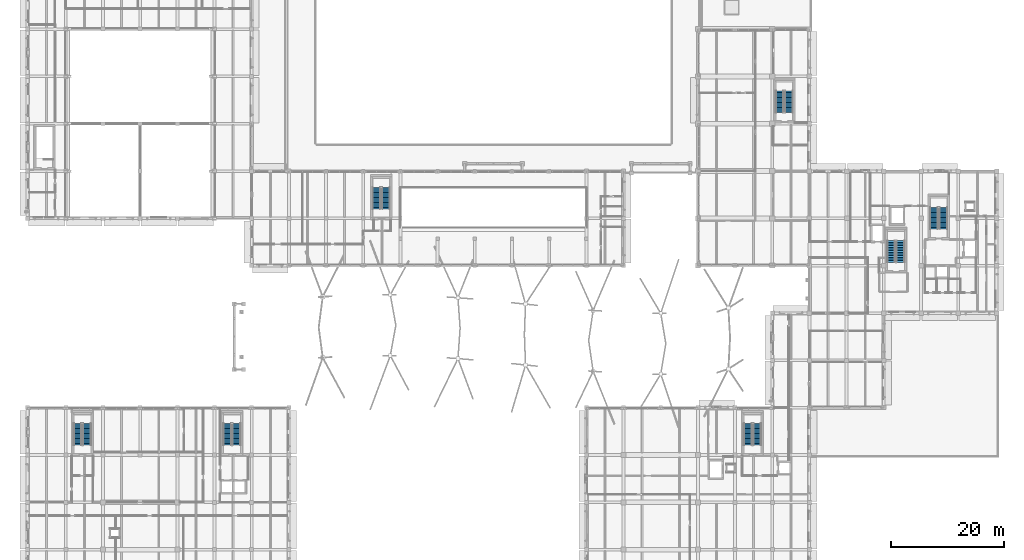
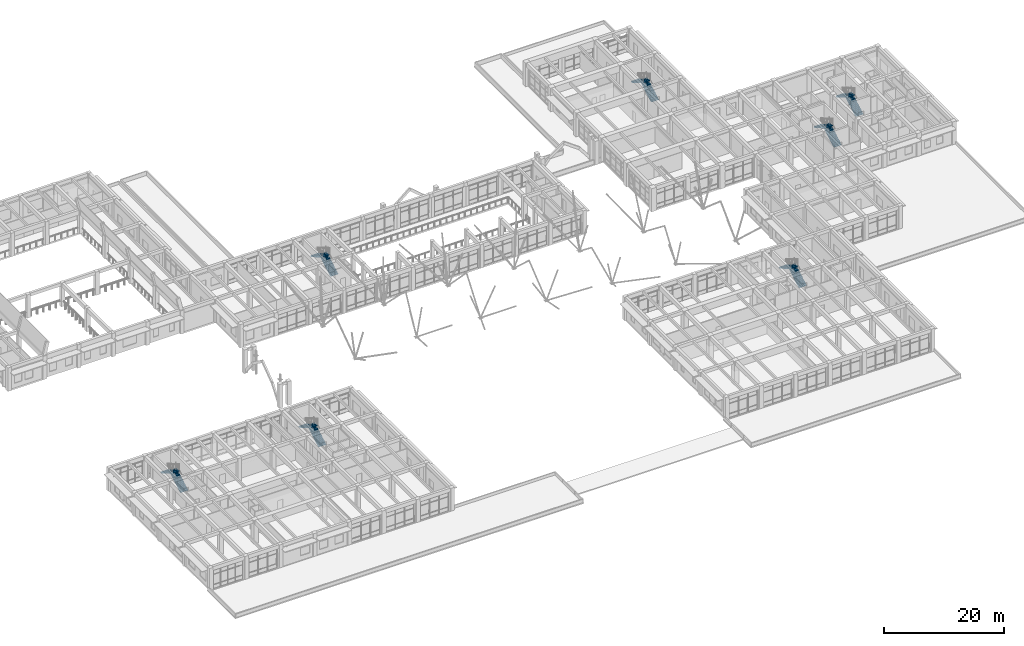
# One storey, part 57 of 75: 14 stair flights, 7 elements without a shape of their own.
"""IFC4 building model written with IfcOpenShell, lengths in metres."""

from ifc_helpers import new_model, si_unit, direction, frame, origin, place, context, subcontext, project, spatial, polyline, outline, extrude, material, type_object, element, aggregate, save


model = new_model("IFC4")

# Units and contexts
model_context = context("Model", 3, precision=1e-05, world=origin(), true_north=direction((0.0, 1.0)))
body_context = subcontext(model_context, "Body", "Model", "MODEL_VIEW")
ifc_project = project(units=[si_unit("LENGTHUNIT", "METRE"), si_unit("AREAUNIT", "SQUARE_METRE"), si_unit("VOLUMEUNIT", "CUBIC_METRE"), si_unit("PLANEANGLEUNIT", "RADIAN"), si_unit("MASSUNIT", "GRAM", prefix="KILO")], contexts=[model_context])

# Site, building, storey
site_placement = place(None, origin())
site = spatial("IfcSite", under=ifc_project, at=site_placement, CompositionType="ELEMENT")
building_placement = place(site_placement, origin())
building = spatial("IfcBuilding", under=site, at=building_placement, Name="Kolvaren Faculty of Natural Sciences", CompositionType="ELEMENT")
storey_placement = place(building_placement, frame((0.0, 0.0, 5.39990234375)))
storey = spatial("IfcBuildingStorey", under=building, at=storey_placement, Name="L01", CompositionType="ELEMENT", Elevation=5.39990234375)

# Stair, stair flights
ifc_material = material(Name="Concrete C35/45", Category="concrete")
stair_type = type_object("IfcStairType", Name="DoglegStair_H4800", PredefinedType="HALF_TURN_STAIR", material=ifc_material)
stair_1_placement = place(storey_placement, origin())
stair_1 = element("IfcStair", 1, at=stair_1_placement, inside=storey, type_object=stair_type, Name="L01 Protected exit stair ST-1", PredefinedType="HALF_TURN_STAIR")
stair_flight_type = type_object("IfcStairFlightType", Name="StairFlight_R1714", PredefinedType="STRAIGHT", material=ifc_material)
stair_flight_1_placement = place(storey_placement, frame((162.574951171875, 73.89990234375, 0.0), z_axis=(0.0, 0.0, 1.0), x_axis=(0.0, 1.0, 0.0)))
stair_flight_1 = element("IfcStairFlight", 2, at=stair_flight_1_placement, type_object=stair_flight_type, Name="ST-1 flight 1", NumberOfRisers=14, NumberOfTreads=13, PredefinedType="STRAIGHT", RiserHeight=0.171428571, TreadLength=0.295, context=body_context, shape_type="SweptSolid", body=[
    extrude(outline(polyline([(0.0, 0.0), (0.0, 0.17138671875), (0.294921875, 0.17138671875), (0.294921875, 0.3427734375), (0.590087890625, 0.3427734375), (0.590087890625, 0.514404296875), (0.885009765625, 0.514404296875), (0.885009765625, 0.685791015625), (1.179931640625, 0.685791015625), (1.179931640625, 0.857177734375), (1.47509765625, 0.857177734375), (1.47509765625, 1.028564453125), (1.77001953125, 1.028564453125), (1.77001953125, 1.199951171875), (2.06494140625, 1.199951171875), (2.06494140625, 1.371337890625), (2.360107421875, 1.371337890625), (2.360107421875, 1.54296875), (2.655029296875, 1.54296875), (2.655029296875, 1.71435546875), (2.949951171875, 1.71435546875), (2.949951171875, 1.8857421875), (3.2451171875, 1.8857421875), (3.2451171875, 2.05712890625), (3.5400390625, 2.05712890625), (3.5400390625, 2.228515625), (3.8349609375, 2.228515625), (3.8349609375, 2.39990234375), (3.8349609375, 2.05517578125), (0.29833984375, 0.0), (0.0, 0.0)])), frame((0.0, 0.72509765625, 0.0), z_axis=(0.0, -1.0, 0.0), x_axis=(1.0, 0.0, 0.0)), (0.0, 0.0, 1.0), 1.449951171875),
])
stair_flight_2_placement = place(storey_placement, frame((160.925048828125, 77.735107421875, 2.400146484375), z_axis=(0.0, 0.0, 1.0), x_axis=(0.0, -1.0, 0.0)))
stair_flight_2 = element("IfcStairFlight", 3, at=stair_flight_2_placement, type_object=stair_flight_type, Name="ST-1 flight 2", NumberOfRisers=14, NumberOfTreads=13, PredefinedType="STRAIGHT", RiserHeight=0.171428571, TreadLength=0.295, context=body_context, shape_type="SweptSolid", body=[
    extrude(outline(polyline([(0.0, 0.0), (0.0, 0.17138671875), (0.294921875, 0.17138671875), (0.294921875, 0.3427734375), (0.590087890625, 0.3427734375), (0.590087890625, 0.514404296875), (0.885009765625, 0.514404296875), (0.885009765625, 0.685791015625), (1.179931640625, 0.685791015625), (1.179931640625, 0.857177734375), (1.47509765625, 0.857177734375), (1.47509765625, 1.028564453125), (1.77001953125, 1.028564453125), (1.77001953125, 1.199951171875), (2.06494140625, 1.199951171875), (2.06494140625, 1.371337890625), (2.360107421875, 1.371337890625), (2.360107421875, 1.54296875), (2.655029296875, 1.54296875), (2.655029296875, 1.71435546875), (2.949951171875, 1.71435546875), (2.949951171875, 1.8857421875), (3.2451171875, 1.8857421875), (3.2451171875, 2.05712890625), (3.5400390625, 2.05712890625), (3.5400390625, 2.228515625), (3.8349609375, 2.228515625), (3.8349609375, 2.39990234375), (3.8349609375, 2.05517578125), (0.29833984375, 0.0), (0.0, 0.0)])), frame((0.0, 0.72509765625, 0.0), z_axis=(0.0, -1.0, 0.0), x_axis=(1.0, 0.0, 0.0)), (0.0, 0.0, 1.0), 1.449951171875),
])
aggregate(stair_1, [stair_flight_1, stair_flight_2])

stair_2_placement = place(storey_placement, origin())
stair_2 = element("IfcStair", 4, at=stair_2_placement, inside=storey, type_object=stair_type, Name="L01 Protected exit stair ST-2", PredefinedType="HALF_TURN_STAIR")
stair_flight_3_placement = place(storey_placement, frame((154.97509765625, 68.0, 0.0), z_axis=(0.0, 0.0, 1.0), x_axis=(0.0, 1.0, 0.0)))
stair_flight_3 = element("IfcStairFlight", 5, at=stair_flight_3_placement, type_object=stair_flight_type, Name="ST-2 flight 1", NumberOfRisers=14, NumberOfTreads=13, PredefinedType="STRAIGHT", RiserHeight=0.171428571, TreadLength=0.295, context=body_context, shape_type="SweptSolid", body=[
    extrude(outline(polyline([(0.0, 0.0), (0.0, 0.17138671875), (0.294921875, 0.17138671875), (0.294921875, 0.3427734375), (0.590087890625, 0.3427734375), (0.590087890625, 0.514404296875), (0.885009765625, 0.514404296875), (0.885009765625, 0.685791015625), (1.179931640625, 0.685791015625), (1.179931640625, 0.857177734375), (1.47509765625, 0.857177734375), (1.47509765625, 1.028564453125), (1.77001953125, 1.028564453125), (1.77001953125, 1.199951171875), (2.06494140625, 1.199951171875), (2.06494140625, 1.371337890625), (2.360107421875, 1.371337890625), (2.360107421875, 1.54296875), (2.655029296875, 1.54296875), (2.655029296875, 1.71435546875), (2.949951171875, 1.71435546875), (2.949951171875, 1.8857421875), (3.2451171875, 1.8857421875), (3.2451171875, 2.05712890625), (3.5400390625, 2.05712890625), (3.5400390625, 2.228515625), (3.8349609375, 2.228515625), (3.8349609375, 2.39990234375), (3.8349609375, 2.05517578125), (0.29833984375, 0.0), (0.0, 0.0)])), frame((0.0, 0.72509765625, 0.0), z_axis=(0.0, -1.0, 0.0), x_axis=(1.0, 0.0, 0.0)), (0.0, 0.0, 1.0), 1.449951171875),
])
stair_flight_4_placement = place(storey_placement, frame((153.324951171875, 71.8349609375, 2.400146484375), z_axis=(0.0, 0.0, 1.0), x_axis=(0.0, -1.0, 0.0)))
stair_flight_4 = element("IfcStairFlight", 6, at=stair_flight_4_placement, type_object=stair_flight_type, Name="ST-2 flight 2", NumberOfRisers=14, NumberOfTreads=13, PredefinedType="STRAIGHT", RiserHeight=0.171428571, TreadLength=0.295, context=body_context, shape_type="SweptSolid", body=[
    extrude(outline(polyline([(0.0, 0.0), (0.0, 0.17138671875), (0.294921875, 0.17138671875), (0.294921875, 0.3427734375), (0.590087890625, 0.3427734375), (0.590087890625, 0.514404296875), (0.885009765625, 0.514404296875), (0.885009765625, 0.685791015625), (1.179931640625, 0.685791015625), (1.179931640625, 0.857177734375), (1.47509765625, 0.857177734375), (1.47509765625, 1.028564453125), (1.77001953125, 1.028564453125), (1.77001953125, 1.199951171875), (2.06494140625, 1.199951171875), (2.06494140625, 1.371337890625), (2.360107421875, 1.371337890625), (2.360107421875, 1.54296875), (2.655029296875, 1.54296875), (2.655029296875, 1.71435546875), (2.949951171875, 1.71435546875), (2.949951171875, 1.8857421875), (3.2451171875, 1.8857421875), (3.2451171875, 2.05712890625), (3.5400390625, 2.05712890625), (3.5400390625, 2.228515625), (3.8349609375, 2.228515625), (3.8349609375, 2.39990234375), (3.8349609375, 2.05517578125), (0.29833984375, 0.0), (0.0, 0.0)])), frame((0.0, 0.72509765625, 0.0), z_axis=(0.0, -1.0, 0.0), x_axis=(1.0, 0.0, 0.0)), (0.0, 0.0, 1.0), 1.449951171875),
])
aggregate(stair_2, [stair_flight_3, stair_flight_4])

stair_3_placement = place(storey_placement, origin())
stair_3 = element("IfcStair", 7, at=stair_3_placement, inside=storey, type_object=stair_type, Name="L01 Protected exit stair ST-3", PredefinedType="HALF_TURN_STAIR")
stair_flight_5_placement = place(storey_placement, frame((129.52490234375, 35.550048828125, 0.0), z_axis=(0.0, 0.0, 1.0), x_axis=(0.0, 1.0, 0.0)))
stair_flight_5 = element("IfcStairFlight", 8, at=stair_flight_5_placement, type_object=stair_flight_type, Name="ST-3 flight 1", NumberOfRisers=14, NumberOfTreads=13, PredefinedType="STRAIGHT", RiserHeight=0.171428571, TreadLength=0.295, context=body_context, shape_type="SweptSolid", body=[
    extrude(outline(polyline([(0.0, 0.0), (0.0, 0.17138671875), (0.294921875, 0.17138671875), (0.294921875, 0.3427734375), (0.590087890625, 0.3427734375), (0.590087890625, 0.514404296875), (0.885009765625, 0.514404296875), (0.885009765625, 0.685791015625), (1.179931640625, 0.685791015625), (1.179931640625, 0.857177734375), (1.47509765625, 0.857177734375), (1.47509765625, 1.028564453125), (1.77001953125, 1.028564453125), (1.77001953125, 1.199951171875), (2.06494140625, 1.199951171875), (2.06494140625, 1.371337890625), (2.360107421875, 1.371337890625), (2.360107421875, 1.54296875), (2.655029296875, 1.54296875), (2.655029296875, 1.71435546875), (2.949951171875, 1.71435546875), (2.949951171875, 1.8857421875), (3.2451171875, 1.8857421875), (3.2451171875, 2.05712890625), (3.5400390625, 2.05712890625), (3.5400390625, 2.228515625), (3.8349609375, 2.228515625), (3.8349609375, 2.39990234375), (3.8349609375, 2.05517578125), (0.29833984375, 0.0), (0.0, 0.0)])), frame((0.0, 0.72509765625, 0.0), z_axis=(0.0, -1.0, 0.0), x_axis=(1.0, 0.0, 0.0)), (0.0, 0.0, 1.0), 1.449951171875),
])
stair_flight_6_placement = place(storey_placement, frame((127.875, 39.385009765625, 2.400146484375), z_axis=(0.0, 0.0, 1.0), x_axis=(0.0, -1.0, 0.0)))
stair_flight_6 = element("IfcStairFlight", 9, at=stair_flight_6_placement, type_object=stair_flight_type, Name="ST-3 flight 2", NumberOfRisers=14, NumberOfTreads=13, PredefinedType="STRAIGHT", RiserHeight=0.171428571, TreadLength=0.295, context=body_context, shape_type="SweptSolid", body=[
    extrude(outline(polyline([(0.0, 0.0), (0.0, 0.17138671875), (0.294921875, 0.17138671875), (0.294921875, 0.3427734375), (0.590087890625, 0.3427734375), (0.590087890625, 0.514404296875), (0.885009765625, 0.514404296875), (0.885009765625, 0.685791015625), (1.179931640625, 0.685791015625), (1.179931640625, 0.857177734375), (1.47509765625, 0.857177734375), (1.47509765625, 1.028564453125), (1.77001953125, 1.028564453125), (1.77001953125, 1.199951171875), (2.06494140625, 1.199951171875), (2.06494140625, 1.371337890625), (2.360107421875, 1.371337890625), (2.360107421875, 1.54296875), (2.655029296875, 1.54296875), (2.655029296875, 1.71435546875), (2.949951171875, 1.71435546875), (2.949951171875, 1.8857421875), (3.2451171875, 1.8857421875), (3.2451171875, 2.05712890625), (3.5400390625, 2.05712890625), (3.5400390625, 2.228515625), (3.8349609375, 2.228515625), (3.8349609375, 2.39990234375), (3.8349609375, 2.05517578125), (0.29833984375, 0.0), (0.0, 0.0)])), frame((0.0, 0.72509765625, 0.0), z_axis=(0.0, -1.0, 0.0), x_axis=(1.0, 0.0, 0.0)), (0.0, 0.0, 1.0), 1.449951171875),
])
aggregate(stair_3, [stair_flight_5, stair_flight_6])

stair_4_placement = place(storey_placement, origin())
stair_4 = element("IfcStair", 10, at=stair_4_placement, inside=storey, type_object=stair_type, Name="L01 Protected exit stair ST-4", PredefinedType="HALF_TURN_STAIR")
stair_flight_7_placement = place(storey_placement, frame((37.125, 35.550048828125, 0.0), z_axis=(0.0, 0.0, 1.0), x_axis=(0.0, 1.0, 0.0)))
stair_flight_7 = element("IfcStairFlight", 11, at=stair_flight_7_placement, type_object=stair_flight_type, Name="ST-4 flight 1", NumberOfRisers=14, NumberOfTreads=13, PredefinedType="STRAIGHT", RiserHeight=0.171428571, TreadLength=0.295, context=body_context, shape_type="SweptSolid", body=[
    extrude(outline(polyline([(0.0, 0.0), (0.0, 0.17138671875), (0.294921875, 0.17138671875), (0.294921875, 0.3427734375), (0.590087890625, 0.3427734375), (0.590087890625, 0.514404296875), (0.885009765625, 0.514404296875), (0.885009765625, 0.685791015625), (1.179931640625, 0.685791015625), (1.179931640625, 0.857177734375), (1.47509765625, 0.857177734375), (1.47509765625, 1.028564453125), (1.77001953125, 1.028564453125), (1.77001953125, 1.199951171875), (2.06494140625, 1.199951171875), (2.06494140625, 1.371337890625), (2.360107421875, 1.371337890625), (2.360107421875, 1.54296875), (2.655029296875, 1.54296875), (2.655029296875, 1.71435546875), (2.949951171875, 1.71435546875), (2.949951171875, 1.8857421875), (3.2451171875, 1.8857421875), (3.2451171875, 2.05712890625), (3.5400390625, 2.05712890625), (3.5400390625, 2.228515625), (3.8349609375, 2.228515625), (3.8349609375, 2.39990234375), (3.8349609375, 2.05517578125), (0.29833984375, 0.0), (0.0, 0.0)])), frame((0.0, 0.72509765625, 0.0), z_axis=(0.0, -1.0, 0.0), x_axis=(1.0, 0.0, 0.0)), (0.0, 0.0, 1.0), 1.449951171875),
])
stair_flight_8_placement = place(storey_placement, frame((35.47509765625, 39.385009765625, 2.400146484375), z_axis=(0.0, 0.0, 1.0), x_axis=(0.0, -1.0, 0.0)))
stair_flight_8 = element("IfcStairFlight", 12, at=stair_flight_8_placement, type_object=stair_flight_type, Name="ST-4 flight 2", NumberOfRisers=14, NumberOfTreads=13, PredefinedType="STRAIGHT", RiserHeight=0.171428571, TreadLength=0.295, context=body_context, shape_type="SweptSolid", body=[
    extrude(outline(polyline([(0.0, 0.0), (0.0, 0.17138671875), (0.294921875, 0.17138671875), (0.294921875, 0.3427734375), (0.590087890625, 0.3427734375), (0.590087890625, 0.514404296875), (0.885009765625, 0.514404296875), (0.885009765625, 0.685791015625), (1.179931640625, 0.685791015625), (1.179931640625, 0.857177734375), (1.47509765625, 0.857177734375), (1.47509765625, 1.028564453125), (1.77001953125, 1.028564453125), (1.77001953125, 1.199951171875), (2.06494140625, 1.199951171875), (2.06494140625, 1.371337890625), (2.360107421875, 1.371337890625), (2.360107421875, 1.54296875), (2.655029296875, 1.54296875), (2.655029296875, 1.71435546875), (2.949951171875, 1.71435546875), (2.949951171875, 1.8857421875), (3.2451171875, 1.8857421875), (3.2451171875, 2.05712890625), (3.5400390625, 2.05712890625), (3.5400390625, 2.228515625), (3.8349609375, 2.228515625), (3.8349609375, 2.39990234375), (3.8349609375, 2.05517578125), (0.29833984375, 0.0), (0.0, 0.0)])), frame((0.0, 0.72509765625, 0.0), z_axis=(0.0, -1.0, 0.0), x_axis=(1.0, 0.0, 0.0)), (0.0, 0.0, 1.0), 1.449951171875),
])
aggregate(stair_4, [stair_flight_7, stair_flight_8])

stair_5_placement = place(storey_placement, origin())
stair_5 = element("IfcStair", 13, at=stair_5_placement, inside=storey, type_object=stair_type, Name="L01 Protected exit stair ST-6", PredefinedType="HALF_TURN_STAIR")
stair_flight_9_placement = place(storey_placement, frame((63.625, 77.449951171875, 0.0), z_axis=(0.0, 0.0, 1.0), x_axis=(0.0, 1.0, 0.0)))
stair_flight_9 = element("IfcStairFlight", 14, at=stair_flight_9_placement, type_object=stair_flight_type, Name="ST-6 flight 1", NumberOfRisers=14, NumberOfTreads=13, PredefinedType="STRAIGHT", RiserHeight=0.171428571, TreadLength=0.295, context=body_context, shape_type="SweptSolid", body=[
    extrude(outline(polyline([(0.0, 0.0), (0.0, 0.17138671875), (0.294921875, 0.17138671875), (0.294921875, 0.3427734375), (0.590087890625, 0.3427734375), (0.590087890625, 0.514404296875), (0.885009765625, 0.514404296875), (0.885009765625, 0.685791015625), (1.179931640625, 0.685791015625), (1.179931640625, 0.857177734375), (1.47509765625, 0.857177734375), (1.47509765625, 1.028564453125), (1.77001953125, 1.028564453125), (1.77001953125, 1.199951171875), (2.06494140625, 1.199951171875), (2.06494140625, 1.371337890625), (2.360107421875, 1.371337890625), (2.360107421875, 1.54296875), (2.655029296875, 1.54296875), (2.655029296875, 1.71435546875), (2.949951171875, 1.71435546875), (2.949951171875, 1.8857421875), (3.2451171875, 1.8857421875), (3.2451171875, 2.05712890625), (3.5400390625, 2.05712890625), (3.5400390625, 2.228515625), (3.8349609375, 2.228515625), (3.8349609375, 2.39990234375), (3.8349609375, 2.05517578125), (0.29833984375, 0.0), (0.0, 0.0)])), frame((0.0, 0.72509765625, 0.0), z_axis=(0.0, -1.0, 0.0), x_axis=(1.0, 0.0, 0.0)), (0.0, 0.0, 1.0), 1.449951171875),
])
stair_flight_10_placement = place(storey_placement, frame((61.97509765625, 81.284912109375, 2.400146484375), z_axis=(0.0, 0.0, 1.0), x_axis=(0.0, -1.0, 0.0)))
stair_flight_10 = element("IfcStairFlight", 15, at=stair_flight_10_placement, type_object=stair_flight_type, Name="ST-6 flight 2", NumberOfRisers=14, NumberOfTreads=13, PredefinedType="STRAIGHT", RiserHeight=0.171428571, TreadLength=0.295, context=body_context, shape_type="SweptSolid", body=[
    extrude(outline(polyline([(0.0, 0.0), (0.0, 0.17138671875), (0.294921875, 0.17138671875), (0.294921875, 0.3427734375), (0.590087890625, 0.3427734375), (0.590087890625, 0.514404296875), (0.885009765625, 0.514404296875), (0.885009765625, 0.685791015625), (1.179931640625, 0.685791015625), (1.179931640625, 0.857177734375), (1.47509765625, 0.857177734375), (1.47509765625, 1.028564453125), (1.77001953125, 1.028564453125), (1.77001953125, 1.199951171875), (2.06494140625, 1.199951171875), (2.06494140625, 1.371337890625), (2.360107421875, 1.371337890625), (2.360107421875, 1.54296875), (2.655029296875, 1.54296875), (2.655029296875, 1.71435546875), (2.949951171875, 1.71435546875), (2.949951171875, 1.8857421875), (3.2451171875, 1.8857421875), (3.2451171875, 2.05712890625), (3.5400390625, 2.05712890625), (3.5400390625, 2.228515625), (3.8349609375, 2.228515625), (3.8349609375, 2.39990234375), (3.8349609375, 2.05517578125), (0.29833984375, 0.0), (0.0, 0.0)])), frame((0.0, 0.72509765625, 0.0), z_axis=(0.0, -1.0, 0.0), x_axis=(1.0, 0.0, 0.0)), (0.0, 0.0, 1.0), 1.449951171875),
])
aggregate(stair_5, [stair_flight_9, stair_flight_10])

stair_6_placement = place(storey_placement, origin())
stair_6 = element("IfcStair", 16, at=stair_6_placement, inside=storey, type_object=stair_type, Name="L01 Protected exit stair ST-7", PredefinedType="HALF_TURN_STAIR")
stair_flight_11_placement = place(storey_placement, frame((135.175048828125, 94.60009765625, 0.0), z_axis=(0.0, 0.0, 1.0), x_axis=(0.0, 1.0, 0.0)))
stair_flight_11 = element("IfcStairFlight", 17, at=stair_flight_11_placement, type_object=stair_flight_type, Name="ST-7 flight 1", NumberOfRisers=14, NumberOfTreads=13, PredefinedType="STRAIGHT", RiserHeight=0.171428571, TreadLength=0.295, context=body_context, shape_type="SweptSolid", body=[
    extrude(outline(polyline([(0.0, 0.0), (0.0, 0.17138671875), (0.294921875, 0.17138671875), (0.294921875, 0.3427734375), (0.590087890625, 0.3427734375), (0.590087890625, 0.514404296875), (0.885009765625, 0.514404296875), (0.885009765625, 0.685791015625), (1.179931640625, 0.685791015625), (1.179931640625, 0.857177734375), (1.47509765625, 0.857177734375), (1.47509765625, 1.028564453125), (1.77001953125, 1.028564453125), (1.77001953125, 1.199951171875), (2.06494140625, 1.199951171875), (2.06494140625, 1.371337890625), (2.360107421875, 1.371337890625), (2.360107421875, 1.54296875), (2.655029296875, 1.54296875), (2.655029296875, 1.71435546875), (2.949951171875, 1.71435546875), (2.949951171875, 1.8857421875), (3.2451171875, 1.8857421875), (3.2451171875, 2.05712890625), (3.5400390625, 2.05712890625), (3.5400390625, 2.228515625), (3.8349609375, 2.228515625), (3.8349609375, 2.39990234375), (3.8349609375, 2.05517578125), (0.29833984375, 0.0), (0.0, 0.0)])), frame((0.0, 0.72509765625, 0.0), z_axis=(0.0, -1.0, 0.0), x_axis=(1.0, 0.0, 0.0)), (0.0, 0.0, 1.0), 1.449951171875),
])
stair_flight_12_placement = place(storey_placement, frame((133.52490234375, 98.43505859375, 2.400146484375), z_axis=(0.0, 0.0, 1.0), x_axis=(0.0, -1.0, 0.0)))
stair_flight_12 = element("IfcStairFlight", 18, at=stair_flight_12_placement, type_object=stair_flight_type, Name="ST-7 flight 2", NumberOfRisers=14, NumberOfTreads=13, PredefinedType="STRAIGHT", RiserHeight=0.171428571, TreadLength=0.295, context=body_context, shape_type="SweptSolid", body=[
    extrude(outline(polyline([(0.0, 0.0), (0.0, 0.17138671875), (0.294921875, 0.17138671875), (0.294921875, 0.3427734375), (0.590087890625, 0.3427734375), (0.590087890625, 0.514404296875), (0.885009765625, 0.514404296875), (0.885009765625, 0.685791015625), (1.179931640625, 0.685791015625), (1.179931640625, 0.857177734375), (1.47509765625, 0.857177734375), (1.47509765625, 1.028564453125), (1.77001953125, 1.028564453125), (1.77001953125, 1.199951171875), (2.06494140625, 1.199951171875), (2.06494140625, 1.371337890625), (2.360107421875, 1.371337890625), (2.360107421875, 1.54296875), (2.655029296875, 1.54296875), (2.655029296875, 1.71435546875), (2.949951171875, 1.71435546875), (2.949951171875, 1.8857421875), (3.2451171875, 1.8857421875), (3.2451171875, 2.05712890625), (3.5400390625, 2.05712890625), (3.5400390625, 2.228515625), (3.8349609375, 2.228515625), (3.8349609375, 2.39990234375), (3.8349609375, 2.05517578125), (0.29833984375, 0.0), (0.0, 0.0)])), frame((0.0, 0.72509765625, 0.0), z_axis=(0.0, -1.0, 0.0), x_axis=(1.0, 0.0, 0.0)), (0.0, 0.0, 1.0), 1.449951171875),
])
aggregate(stair_6, [stair_flight_11, stair_flight_12])

stair_7_placement = place(storey_placement, origin())
stair_7 = element("IfcStair", 19, at=stair_7_placement, inside=storey, type_object=stair_type, Name="L01 Protected exit stair ST-8", PredefinedType="HALF_TURN_STAIR")
stair_flight_13_placement = place(storey_placement, frame((10.574951171875, 35.550048828125, 0.0), z_axis=(0.0, 0.0, 1.0), x_axis=(0.0, 1.0, 0.0)))
stair_flight_13 = element("IfcStairFlight", 20, at=stair_flight_13_placement, type_object=stair_flight_type, Name="ST-8 flight 1", NumberOfRisers=14, NumberOfTreads=13, PredefinedType="STRAIGHT", RiserHeight=0.171428571, TreadLength=0.295, context=body_context, shape_type="SweptSolid", body=[
    extrude(outline(polyline([(0.0, 0.0), (0.0, 0.17138671875), (0.294921875, 0.17138671875), (0.294921875, 0.3427734375), (0.590087890625, 0.3427734375), (0.590087890625, 0.514404296875), (0.885009765625, 0.514404296875), (0.885009765625, 0.685791015625), (1.179931640625, 0.685791015625), (1.179931640625, 0.857177734375), (1.47509765625, 0.857177734375), (1.47509765625, 1.028564453125), (1.77001953125, 1.028564453125), (1.77001953125, 1.199951171875), (2.06494140625, 1.199951171875), (2.06494140625, 1.371337890625), (2.360107421875, 1.371337890625), (2.360107421875, 1.54296875), (2.655029296875, 1.54296875), (2.655029296875, 1.71435546875), (2.949951171875, 1.71435546875), (2.949951171875, 1.8857421875), (3.2451171875, 1.8857421875), (3.2451171875, 2.05712890625), (3.5400390625, 2.05712890625), (3.5400390625, 2.228515625), (3.8349609375, 2.228515625), (3.8349609375, 2.39990234375), (3.8349609375, 2.05517578125), (0.29833984375, 0.0), (0.0, 0.0)])), frame((0.0, 0.72509765625, 0.0), z_axis=(0.0, -1.0, 0.0), x_axis=(1.0, 0.0, 0.0)), (0.0, 0.0, 1.0), 1.449951171875),
])
stair_flight_14_placement = place(storey_placement, frame((8.925048828125, 39.385009765625, 2.400146484375), z_axis=(0.0, 0.0, 1.0), x_axis=(0.0, -1.0, 0.0)))
stair_flight_14 = element("IfcStairFlight", 21, at=stair_flight_14_placement, type_object=stair_flight_type, Name="ST-8 flight 2", NumberOfRisers=14, NumberOfTreads=13, PredefinedType="STRAIGHT", RiserHeight=0.171428571, TreadLength=0.295, context=body_context, shape_type="SweptSolid", body=[
    extrude(outline(polyline([(0.0, 0.0), (0.0, 0.17138671875), (0.294921875, 0.17138671875), (0.294921875, 0.3427734375), (0.590087890625, 0.3427734375), (0.590087890625, 0.514404296875), (0.885009765625, 0.514404296875), (0.885009765625, 0.685791015625), (1.179931640625, 0.685791015625), (1.179931640625, 0.857177734375), (1.47509765625, 0.857177734375), (1.47509765625, 1.028564453125), (1.77001953125, 1.028564453125), (1.77001953125, 1.199951171875), (2.06494140625, 1.199951171875), (2.06494140625, 1.371337890625), (2.360107421875, 1.371337890625), (2.360107421875, 1.54296875), (2.655029296875, 1.54296875), (2.655029296875, 1.71435546875), (2.949951171875, 1.71435546875), (2.949951171875, 1.8857421875), (3.2451171875, 1.8857421875), (3.2451171875, 2.05712890625), (3.5400390625, 2.05712890625), (3.5400390625, 2.228515625), (3.8349609375, 2.228515625), (3.8349609375, 2.39990234375), (3.8349609375, 2.05517578125), (0.29833984375, 0.0), (0.0, 0.0)])), frame((0.0, 0.72509765625, 0.0), z_axis=(0.0, -1.0, 0.0), x_axis=(1.0, 0.0, 0.0)), (0.0, 0.0, 1.0), 1.449951171875),
])
aggregate(stair_7, [stair_flight_13, stair_flight_14])

save(model, "model.ifc")
